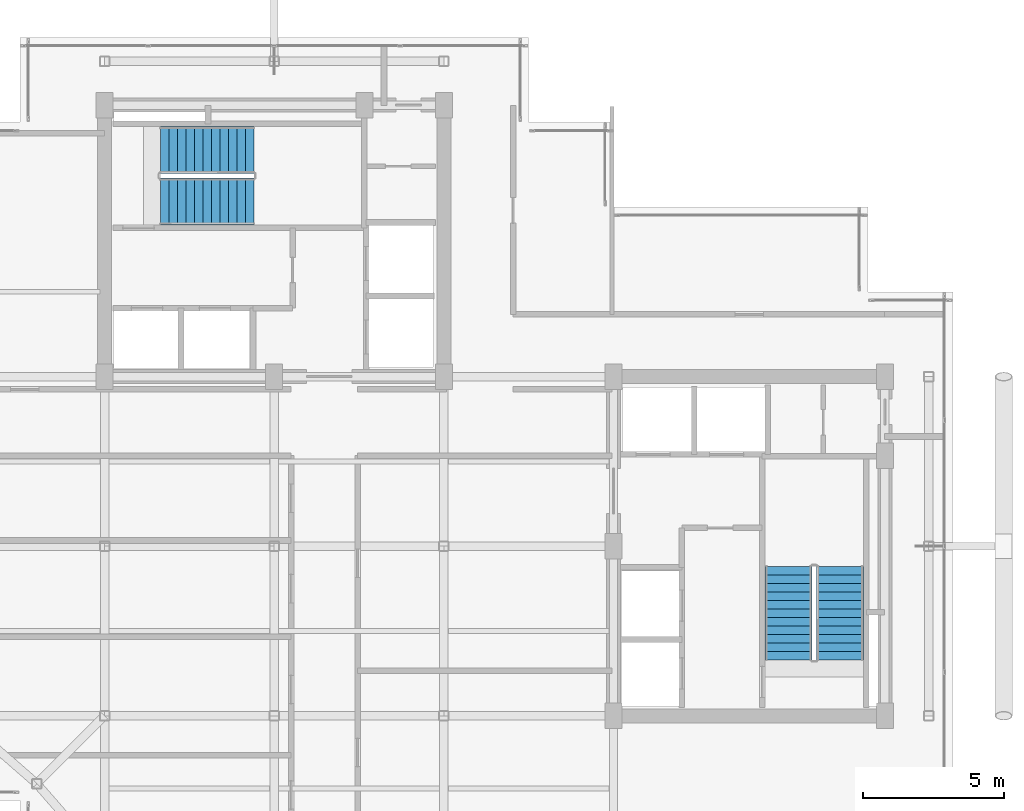
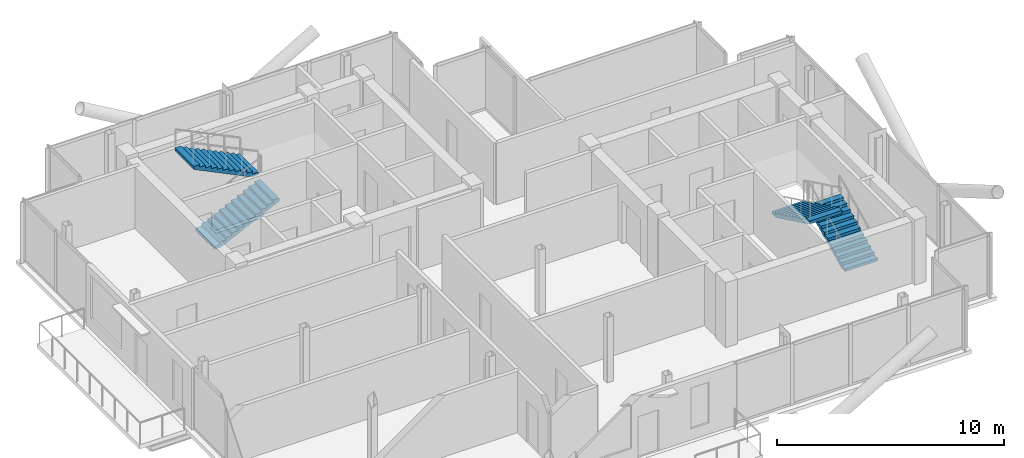
# One storey, part 16 of 18: 4 stair flights, 2 elements without a shape of their own.
"""IFC4 building model written with IfcOpenShell, lengths in metres."""

from ifc_helpers import new_model, si_unit, direction, frame, origin, place, context, subcontext, project, spatial, polyline, outline, extrude, material, type_object, element, aggregate, save


model = new_model("IFC4")

# Units and contexts
model_context = context("Model", 3, precision=1e-05, world=origin(), true_north=direction((0.0, 1.0)))
body_context = subcontext(model_context, "Body", "Model", "MODEL_VIEW")
ifc_project = project(units=[si_unit("LENGTHUNIT", "METRE"), si_unit("AREAUNIT", "SQUARE_METRE"), si_unit("VOLUMEUNIT", "CUBIC_METRE"), si_unit("PLANEANGLEUNIT", "RADIAN"), si_unit("MASSUNIT", "GRAM", prefix="KILO"), si_unit("THERMODYNAMICTEMPERATUREUNIT", "KELVIN"), si_unit("POWERUNIT", "WATT")], contexts=[model_context])

# Site, building, storey
site_placement = place(None, origin())
site = spatial("IfcSite", under=ifc_project, at=site_placement, CompositionType="ELEMENT")
building_placement = place(site_placement, origin())
building = spatial("IfcBuilding", under=site, at=building_placement, Name="Svarakhadi Broadcast Tower", CompositionType="ELEMENT")
storey_placement = place(building_placement, frame((0.0, 0.0, 281.699951171875)))
storey = spatial("IfcBuildingStorey", under=building, at=storey_placement, Name="L71", CompositionType="ELEMENT", Elevation=281.699951171875)

# Stair, stair flights
ifc_material = material(Name="Concrete C40/50 (IS 456 M50)", Category="concrete")
stair_type = type_object("IfcStairType", Name="Stair_Exit_Core", PredefinedType="HALF_TURN_STAIR", material=ifc_material)
stair_1_placement = place(storey_placement, origin())
stair_1 = element("IfcStair", 1, at=stair_1_placement, inside=storey, type_object=stair_type, Name="L71 West Core Protected Exit Stair ST-01", PredefinedType="HALF_TURN_STAIR")
stair_flight_type = type_object("IfcStairFlightType", Name="Flight_RC_1680", PredefinedType="STRAIGHT", material=ifc_material)
stair_flight_1_placement = place(storey_placement, frame((7.97998046875, 24.18994140625, 0.0), z_axis=(0.0, 0.0, 1.0), x_axis=(1.0, 0.0, 0.0)))
stair_flight_1 = element("IfcStairFlight", 2, at=stair_flight_1_placement, type_object=stair_flight_type, Name="ST-01 flight 1", NumberOfRisers=12, NumberOfTreads=11, PredefinedType="STRAIGHT", RiserHeight=0.145833333, TreadLength=0.3, context=body_context, shape_type="SweptSolid", body=[
    extrude(outline(polyline([(0.0, 0.0), (0.0, 0.145751953125), (0.300048828125, 0.145751953125), (0.300048828125, 0.291748046875), (0.60009765625, 0.291748046875), (0.60009765625, 0.4375), (0.89990234375, 0.4375), (0.89990234375, 0.583251953125), (1.199951171875, 0.583251953125), (1.199951171875, 0.729248046875), (1.5, 0.729248046875), (1.5, 0.875), (1.800048828125, 0.875), (1.800048828125, 1.020751953125), (2.10009765625, 1.020751953125), (2.10009765625, 1.166748046875), (2.39990234375, 1.166748046875), (2.39990234375, 1.3125), (2.699951171875, 1.3125), (2.699951171875, 1.458251953125), (3.0, 1.458251953125), (3.0, 1.604248046875), (3.300048828125, 1.604248046875), (3.300048828125, 1.75), (3.300048828125, 1.4375), (0.3427734375, 0.0), (0.0, 0.0)])), frame((0.0, 0.830078125, 0.0), z_axis=(0.0, -1.0, 0.0), x_axis=(1.0, 0.0, 0.0)), (0.0, 0.0, 1.0), 1.659912109375),
])
stair_flight_2_placement = place(storey_placement, frame((11.280029296875, 26.010009765625, 1.75), z_axis=(0.0, 0.0, 1.0), x_axis=(-1.0, 0.0, 0.0)))
stair_flight_2 = element("IfcStairFlight", 3, at=stair_flight_2_placement, type_object=stair_flight_type, Name="ST-01 flight 2", NumberOfRisers=12, NumberOfTreads=11, PredefinedType="STRAIGHT", RiserHeight=0.145833333, TreadLength=0.3, context=body_context, shape_type="SweptSolid", body=[
    extrude(outline(polyline([(0.0, 0.0), (0.0, 0.145751953125), (0.300048828125, 0.145751953125), (0.300048828125, 0.291748046875), (0.60009765625, 0.291748046875), (0.60009765625, 0.4375), (0.89990234375, 0.4375), (0.89990234375, 0.583251953125), (1.199951171875, 0.583251953125), (1.199951171875, 0.729248046875), (1.5, 0.729248046875), (1.5, 0.875), (1.800048828125, 0.875), (1.800048828125, 1.020751953125), (2.10009765625, 1.020751953125), (2.10009765625, 1.166748046875), (2.39990234375, 1.166748046875), (2.39990234375, 1.3125), (2.699951171875, 1.3125), (2.699951171875, 1.458251953125), (3.0, 1.458251953125), (3.0, 1.604248046875), (3.300048828125, 1.604248046875), (3.300048828125, 1.75), (3.300048828125, 1.4375), (0.3427734375, 0.0), (0.0, 0.0)])), frame((0.0, 0.830078125, 0.0), z_axis=(0.0, -1.0, 0.0), x_axis=(1.0, 0.0, 0.0)), (0.0, 0.0, 1.0), 1.659912109375),
])
aggregate(stair_1, [stair_flight_1, stair_flight_2])

stair_2_placement = place(storey_placement, origin())
stair_2 = element("IfcStair", 4, at=stair_2_placement, inside=storey, type_object=stair_type, Name="L71 East Core Protected Exit Stair ST-02", PredefinedType="HALF_TURN_STAIR")
stair_flight_3_placement = place(storey_placement, frame((32.010009765625, 7.97998046875, 0.0), z_axis=(0.0, 0.0, 1.0), x_axis=(0.0, 1.0, 0.0)))
stair_flight_3 = element("IfcStairFlight", 5, at=stair_flight_3_placement, type_object=stair_flight_type, Name="ST-02 flight 1", NumberOfRisers=12, NumberOfTreads=11, PredefinedType="STRAIGHT", RiserHeight=0.145833333, TreadLength=0.3, context=body_context, shape_type="SweptSolid", body=[
    extrude(outline(polyline([(0.0, 0.0), (0.0, 0.145751953125), (0.300048828125, 0.145751953125), (0.300048828125, 0.291748046875), (0.60009765625, 0.291748046875), (0.60009765625, 0.4375), (0.89990234375, 0.4375), (0.89990234375, 0.583251953125), (1.199951171875, 0.583251953125), (1.199951171875, 0.729248046875), (1.5, 0.729248046875), (1.5, 0.875), (1.800048828125, 0.875), (1.800048828125, 1.020751953125), (2.10009765625, 1.020751953125), (2.10009765625, 1.166748046875), (2.39990234375, 1.166748046875), (2.39990234375, 1.3125), (2.699951171875, 1.3125), (2.699951171875, 1.458251953125), (3.0, 1.458251953125), (3.0, 1.604248046875), (3.300048828125, 1.604248046875), (3.300048828125, 1.75), (3.300048828125, 1.4375), (0.3427734375, 0.0), (0.0, 0.0)])), frame((0.0, 0.830078125, 0.0), z_axis=(0.0, -1.0, 0.0), x_axis=(1.0, 0.0, 0.0)), (0.0, 0.0, 1.0), 1.659912109375),
])
stair_flight_4_placement = place(storey_placement, frame((30.18994140625, 11.280029296875, 1.75), z_axis=(0.0, 0.0, 1.0), x_axis=(0.0, -1.0, 0.0)))
stair_flight_4 = element("IfcStairFlight", 6, at=stair_flight_4_placement, type_object=stair_flight_type, Name="ST-02 flight 2", NumberOfRisers=12, NumberOfTreads=11, PredefinedType="STRAIGHT", RiserHeight=0.145833333, TreadLength=0.3, context=body_context, shape_type="SweptSolid", body=[
    extrude(outline(polyline([(0.0, 0.0), (0.0, 0.145751953125), (0.300048828125, 0.145751953125), (0.300048828125, 0.291748046875), (0.60009765625, 0.291748046875), (0.60009765625, 0.4375), (0.89990234375, 0.4375), (0.89990234375, 0.583251953125), (1.199951171875, 0.583251953125), (1.199951171875, 0.729248046875), (1.5, 0.729248046875), (1.5, 0.875), (1.800048828125, 0.875), (1.800048828125, 1.020751953125), (2.10009765625, 1.020751953125), (2.10009765625, 1.166748046875), (2.39990234375, 1.166748046875), (2.39990234375, 1.3125), (2.699951171875, 1.3125), (2.699951171875, 1.458251953125), (3.0, 1.458251953125), (3.0, 1.604248046875), (3.300048828125, 1.604248046875), (3.300048828125, 1.75), (3.300048828125, 1.4375), (0.3427734375, 0.0), (0.0, 0.0)])), frame((0.0, 0.830078125, 0.0), z_axis=(0.0, -1.0, 0.0), x_axis=(1.0, 0.0, 0.0)), (0.0, 0.0, 1.0), 1.659912109375),
])
aggregate(stair_2, [stair_flight_3, stair_flight_4])

save(model, "model.ifc")
